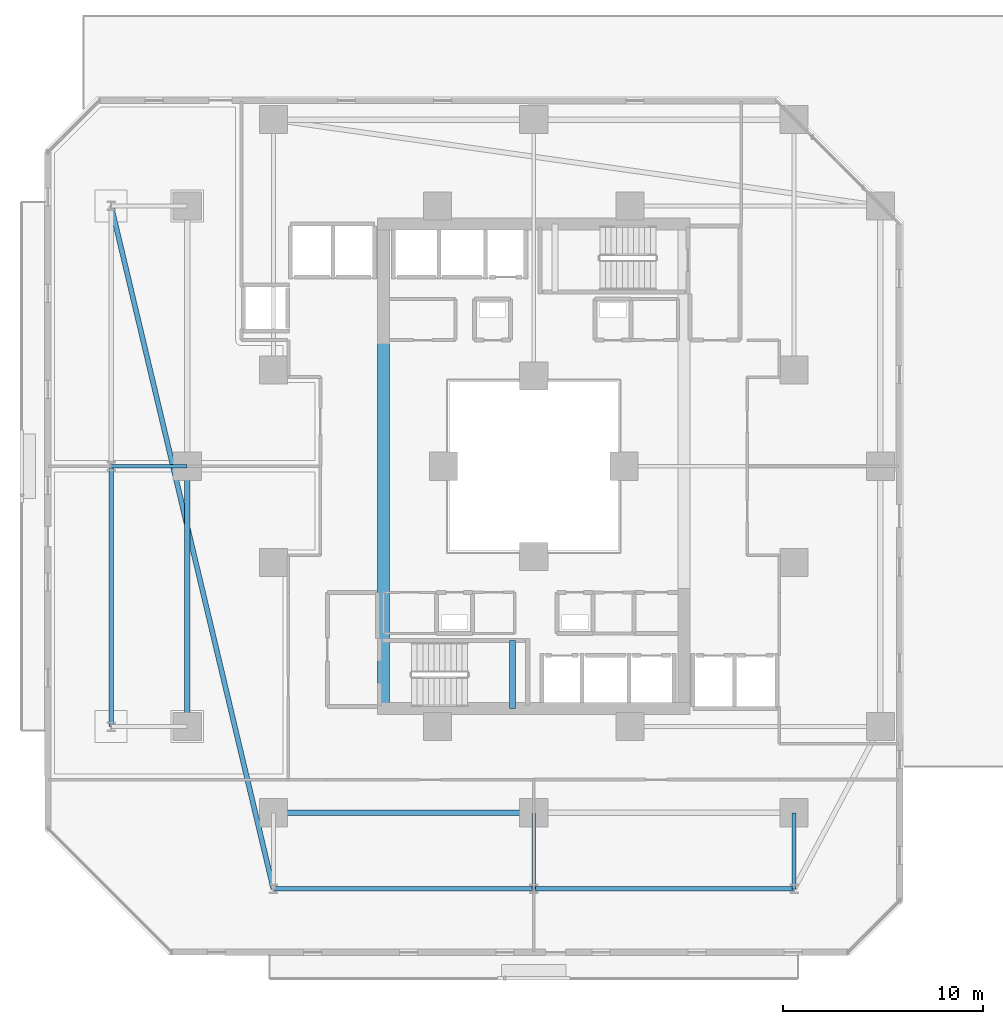
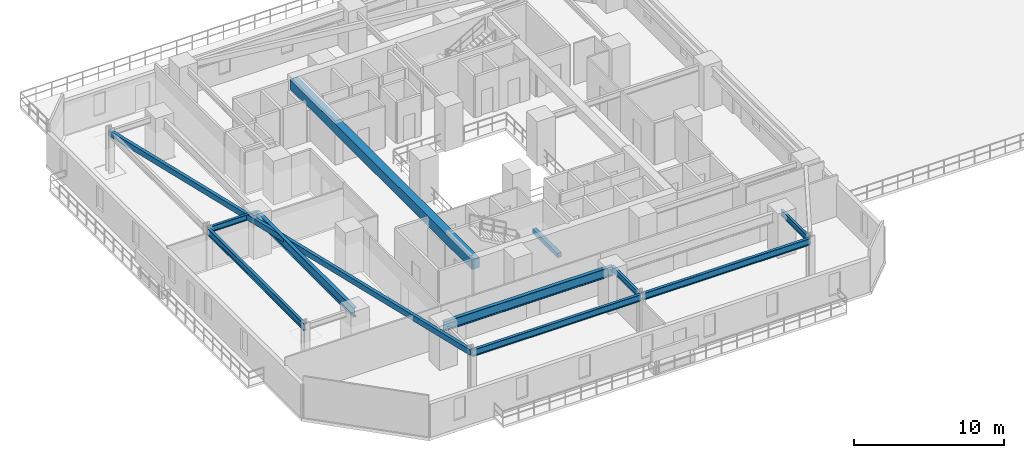
# One storey, part 4 of 34: 11 beams.
"""IFC4 building model written with IfcOpenShell, lengths in metres."""

from ifc_helpers import new_model, si_unit, direction, frame, origin, origin_2d, place, context, subcontext, project, spatial, rectangle, hollow_rectangle, i_section, extrude, material, material_profile, profile_set, type_object, element, save


model = new_model("IFC4")

# Units and contexts
model_context = context("Model", 3, precision=1e-05, world=origin(), true_north=direction((0.0, 1.0)))
body_context = subcontext(model_context, "Body", "Model", "MODEL_VIEW")
ifc_project = project(units=[si_unit("LENGTHUNIT", "METRE"), si_unit("AREAUNIT", "SQUARE_METRE"), si_unit("VOLUMEUNIT", "CUBIC_METRE"), si_unit("PLANEANGLEUNIT", "RADIAN"), si_unit("MASSUNIT", "GRAM", prefix="KILO")], contexts=[model_context])

# Site, building, storey
site_placement = place(None, origin())
site = spatial("IfcSite", under=ifc_project, at=site_placement, CompositionType="ELEMENT")
building_placement = place(site_placement, origin())
building = spatial("IfcBuilding", under=site, at=building_placement, Name="Thornwick Lancets Civic Towers", CompositionType="ELEMENT")
storey_placement = place(building_placement, frame((0.0, 0.0, 27.89990234375)))
storey = spatial("IfcBuildingStorey", under=building, at=storey_placement, Name="L06", CompositionType="ELEMENT", Elevation=27.89990234375)

# Beams
ifc_material_1 = material(Name="Concrete C60/75", Category="concrete")
ifc_material_profile_1 = material_profile(ifc_material_1, rectangle(XDim=0.60009765625, YDim=0.800048828125, at=origin_2d()), Name="RC 600x800")
ifc_profile_set_1 = profile_set([ifc_material_profile_1], Name="Concrete C60/75")
beam_type_1 = type_object("IfcBeamType", Name="BM_COUP_RC800", PredefinedType="BEAM", material=ifc_profile_set_1)
beam_1_placement = place(storey_placement, frame((18.0, 14.89990234375, 2.960205078125), z_axis=(0.0, 1.0, 0.0), x_axis=(-1.0, 0.0, 0.0)))
element("IfcBeam", 1, at=beam_1_placement, inside=storey, type_object=beam_type_1, Name="CB-L06-A2", PredefinedType="BEAM", context=body_context, shape_type="SweptSolid", body=[
    extrude(rectangle(XDim=0.60009765625, YDim=0.800048828125, at=origin_2d()), origin(), (0.0, 0.0, 1.0), 24.2001953125),
])
ifc_material_2 = material(Name="Steel S355JR", Category="steel")
ifc_material_profile_2 = material_profile(ifc_material_2, i_section(OverallWidth=0.2119140625, OverallDepth=0.54443359375, WebThickness=0.0126953125, FlangeThickness=0.021240234375, FilletRadius=0.0126953125, at=origin_2d()), Name="UKB 533x210x122")
ifc_profile_set_2 = profile_set([ifc_material_profile_2], Name="Steel S355JR")
beam_type_2 = type_object("IfcBeamType", Name="BM_EDGE_533_122", PredefinedType="SPANDREL", material=ifc_profile_set_2)
beam_2_placement = place(storey_placement, frame((12.5, 5.89990234375, 3.087890625), z_axis=(1.0, 0.0, 0.0), x_axis=(0.0, 1.0, 0.0)))
element("IfcBeam", 2, at=beam_2_placement, inside=storey, type_object=beam_type_2, Name="BM-EDGE-L06-A-S0-1", PredefinedType="SPANDREL", context=body_context, shape_type="SweptSolid", body=[
    extrude(i_section(OverallWidth=0.2119140625, OverallDepth=0.54443359375, WebThickness=0.0126953125, FlangeThickness=0.021240234375, FilletRadius=0.0126953125, at=origin_2d()), origin(), (0.0, 0.0, 1.0), 13.0),
])
beam_3_placement = place(storey_placement, frame((25.580078125, 5.89990234375, 3.087890625), z_axis=(1.0, 0.0, 0.0), x_axis=(0.0, 1.0, 0.0)))
element("IfcBeam", 3, at=beam_3_placement, inside=storey, type_object=beam_type_2, Name="BM-EDGE-L06-A-S0-2", PredefinedType="SPANDREL", context=body_context, shape_type="SweptSolid", body=[
    extrude(i_section(OverallWidth=0.2119140625, OverallDepth=0.54443359375, WebThickness=0.0126953125, FlangeThickness=0.021240234375, FilletRadius=0.0126953125, at=origin_2d()), origin(), (0.0, 0.0, 1.0), 12.919921875),
])
beam_4_placement = place(storey_placement, frame((4.39990234375, 14.0, 3.087890625), z_axis=(0.0, 1.0, 0.0), x_axis=(-1.0, 0.0, 0.0)))
element("IfcBeam", 4, at=beam_4_placement, inside=storey, type_object=beam_type_2, Name="BM-EDGE-L06-A-S3-1", PredefinedType="SPANDREL", context=body_context, shape_type="SweptSolid", body=[
    extrude(i_section(OverallWidth=0.2119140625, OverallDepth=0.54443359375, WebThickness=0.0126953125, FlangeThickness=0.021240234375, FilletRadius=0.0126953125, at=origin_2d()), origin(), (0.0, 0.0, 1.0), 13.0),
])
ifc_material_profile_3 = material_profile(ifc_material_2, i_section(OverallWidth=0.26806640625, OverallDepth=0.769775390625, WebThickness=0.015625, FlangeThickness=0.025390625, FilletRadius=0.0166015625, at=origin_2d()), Name="UKB 762x267x197")
ifc_profile_set_3 = profile_set([ifc_material_profile_3], Name="Steel S355JR")
beam_type_3 = type_object("IfcBeamType", Name="BM_GIRD_762_197", PredefinedType="BEAM", material=ifc_profile_set_3)
for number, where, z_axis, x_axis, name in (
    (5, (12.5, 9.699951171875, 2.97509765625), (1.0, 0.0, 0.0), (0.0, 1.0, 0.0), "BM-SPINE-L06-A-0-1"),
    (6, (8.199951171875, 14.0, 2.97509765625), (0.0, 1.0, 0.0), (-1.0, 0.0, 0.0), "BM-SPINE-L06-A-9-10"),
):
    element("IfcBeam", number, at=place(storey_placement, frame(where, z_axis=z_axis, x_axis=x_axis)), inside=storey, type_object=beam_type_3, Name=name, PredefinedType="BEAM", context=body_context, shape_type="SweptSolid", body=[
        extrude(i_section(OverallWidth=0.26806640625, OverallDepth=0.769775390625, WebThickness=0.015625, FlangeThickness=0.025390625, FilletRadius=0.0166015625, at=origin_2d()), origin(), (0.0, 0.0, 1.0), 13.0),
    ])
ifc_material_profile_4 = material_profile(ifc_material_2, i_section(OverallWidth=0.19287109375, OverallDepth=0.46728515625, WebThickness=0.011474609375, FlangeThickness=0.01953125, FilletRadius=0.01025390625, at=origin_2d()), Name="UKB 457x191x98")
ifc_profile_set_4 = profile_set([ifc_material_profile_4], Name="Steel S355JR")
beam_type_4 = type_object("IfcBeamType", Name="BM_JOIST_457_98", PredefinedType="JOIST", material=ifc_profile_set_4)
for number, where, z_axis, x_axis, name in (
    (7, (25.5, 9.699951171875, 3.12646484375), (0.0, -1.0, 0.0), (1.0, 0.0, 0.0), "BM-RAD-L06-A02"),
    (8, (38.5, 9.699951171875, 3.12646484375), (0.0, -1.0, 0.0), (1.0, 0.0, 0.0), "BM-RAD-L06-A03"),
    (9, (8.199951171875, 27.0, 3.12646484375), (-1.0, 0.0, 0.0), (0.0, -1.0, 0.0), "BM-RAD-L06-A11"),
):
    element("IfcBeam", number, at=place(storey_placement, frame(where, z_axis=z_axis, x_axis=x_axis)), inside=storey, type_object=beam_type_4, Name=name, PredefinedType="JOIST", context=body_context, shape_type="SweptSolid", body=[
        extrude(i_section(OverallWidth=0.19287109375, OverallDepth=0.46728515625, WebThickness=0.011474609375, FlangeThickness=0.01953125, FilletRadius=0.01025390625, at=origin_2d()), origin(), (0.0, 0.0, 1.0), 3.800048828125),
    ])
ifc_material_profile_5 = material_profile(ifc_material_2, hollow_rectangle(XDim=0.25, YDim=0.449951171875, WallThickness=0.01611328125, at=origin_2d()), Name="RHS 450x250x16")
ifc_profile_set_5 = profile_set([ifc_material_profile_5], Name="Steel S355JR")
beam_type_5 = type_object("IfcBeamType", Name="BM_RING_RHS450", PredefinedType="BEAM", material=ifc_profile_set_5)
beam_5_placement = place(storey_placement, frame((4.39990234375, 40.0, 3.135009765625), z_axis=(0.231108201875, -0.972928054394, 0.0), x_axis=(0.972928054394, 0.231108201875, 0.0)))
element("IfcBeam", 10, at=beam_5_placement, inside=storey, type_object=beam_type_5, Name="BM-CHAMF-L06-A-C3", PredefinedType="BEAM", context=body_context, shape_type="SweptSolid", body=[
    extrude(hollow_rectangle(XDim=0.25, YDim=0.449951171875, WallThickness=0.01611328125, at=origin_2d()), origin(), (0.0, 0.0, 1.0), 35.048828125),
])
ifc_material_3 = material(Name="Concrete C40/50", Category="concrete")
ifc_material_profile_6 = material_profile(ifc_material_3, rectangle(XDim=0.300048828125, YDim=0.35009765625, at=origin_2d()), Name="RC 300x350")
ifc_profile_set_6 = profile_set([ifc_material_profile_6], Name="Concrete C40/50")
beam_type_6 = type_object("IfcBeamType", Name="BM_STAIR_LDG", PredefinedType="BEAM", material=ifc_profile_set_6)
beam_6_placement = place(storey_placement, frame((24.43505859375, 14.89990234375, 1.378173828125), z_axis=(0.0, 1.0, 0.0), x_axis=(-1.0, 0.0, 0.0)))
element("IfcBeam", 11, at=beam_6_placement, inside=storey, type_object=beam_type_6, Name="L06 ST-A1 Landing Support Beam 1", PredefinedType="BEAM", context=body_context, shape_type="SweptSolid", body=[
    extrude(rectangle(XDim=0.300048828125, YDim=0.35009765625, at=origin_2d()), origin(), (0.0, 0.0, 1.0), 3.400146484375),
])

save(model, "model.ifc")
